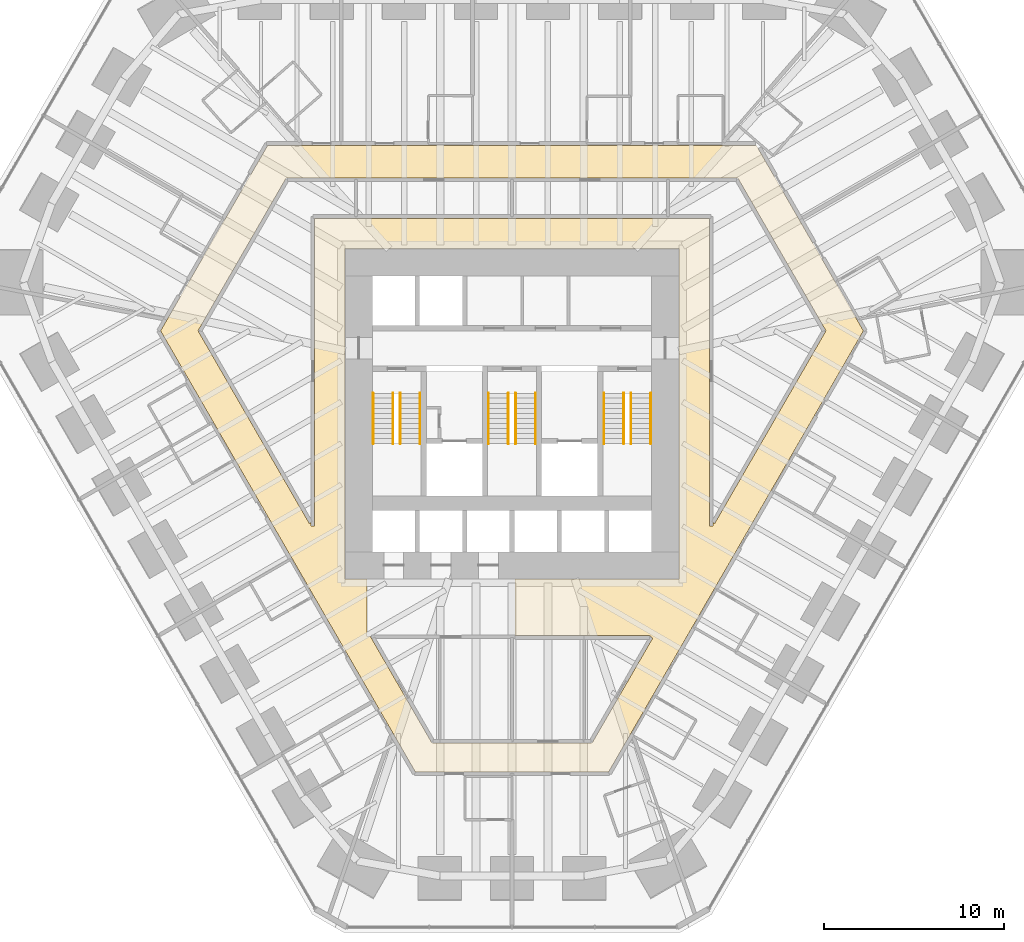
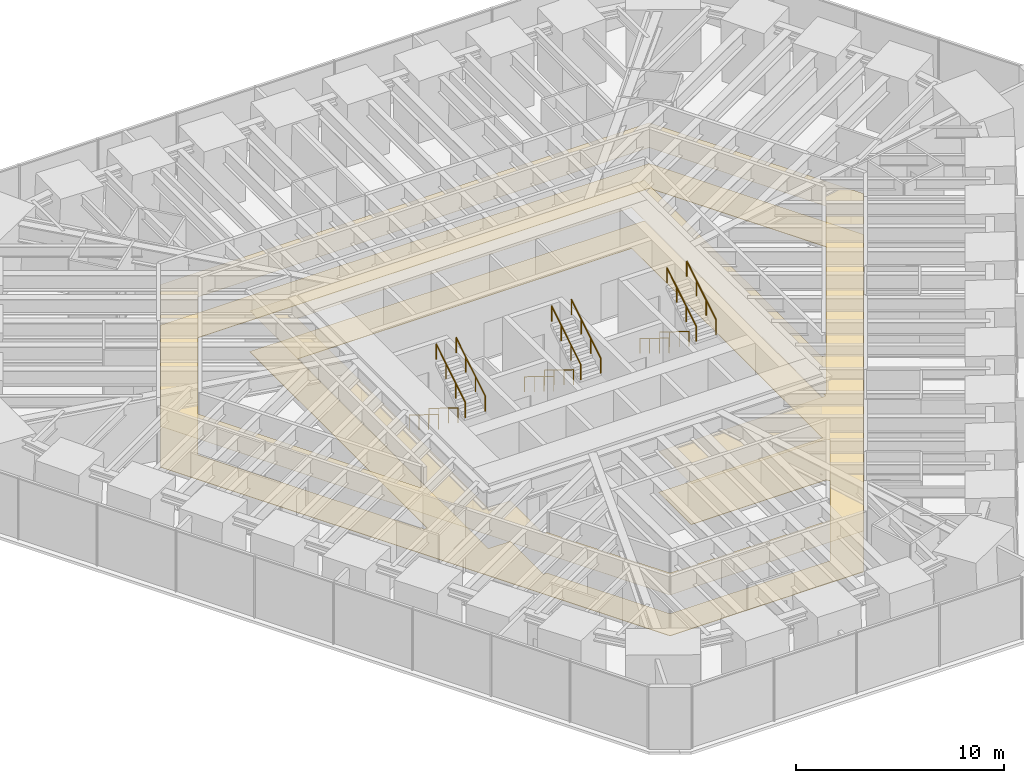
# One storey, part 17 of 17: 12 railings, 2 coverings.
"""IFC4 building model written with IfcOpenShell, lengths in metres."""

from ifc_helpers import new_model, si_unit, direction, frame, origin, origin_2d, place, context, subcontext, project, spatial, polyline, circle, outline, extrude, material, layer, layer_set, type_object, element, save


model = new_model("IFC4")

# Units and contexts
model_context = context("Model", 3, precision=1e-05, world=origin(), true_north=direction((0.0, 1.0)))
body_context = subcontext(model_context, "Body", "Model", "MODEL_VIEW")
ifc_project = project(units=[si_unit("LENGTHUNIT", "METRE"), si_unit("AREAUNIT", "SQUARE_METRE"), si_unit("VOLUMEUNIT", "CUBIC_METRE"), si_unit("PLANEANGLEUNIT", "RADIAN"), si_unit("MASSUNIT", "GRAM", prefix="KILO")], contexts=[model_context])

# Site, building, storey
site_placement = place(None, origin())
site = spatial("IfcSite", under=ifc_project, at=site_placement, CompositionType="ELEMENT")
building_placement = place(site_placement, origin())
building = spatial("IfcBuilding", under=site, at=building_placement, Name="Sandreach Pilgrim Tower", CompositionType="ELEMENT")
storey_placement = place(building_placement, frame((0.0, 0.0, 87.60009765625)))
storey = spatial("IfcBuildingStorey", under=building, at=storey_placement, Name="L21", CompositionType="ELEMENT", Elevation=87.60009765625)

# Covering
ifc_material_1 = material(Name="Gypsum board suspended ceiling on a steel grid", Category="steel")
ifc_layer_1 = layer(ifc_material_1, 0.012939453125)
ifc_layer_set_1 = layer_set([ifc_layer_1], Name="Gypsum board suspended ceiling")
covering_type_1 = type_object("IfcCoveringType", Name="Gypsum board suspended ceiling", PredefinedType="CEILING", material=ifc_layer_set_1)
covering_1_placement = place(storey_placement, frame((0.0, 0.0, 2.39990234375)))
element("IfcCovering", 1, at=covering_1_placement, inside=storey, type_object=covering_type_1, Name="Ceiling 21C Corridor 21", PredefinedType="CEILING", context=body_context, shape_type="SweptSolid", body=[
    extrude(outline(polyline([(-19.49462890625, 3.06005859375), (-13.55224609375, 13.35009765625), (13.55224609375, 13.35009765625), (19.494384765625, 3.06005859375), (5.3623046875, -21.409912109375), (-5.3623046875, -21.409912109375), (-19.49462890625, 3.06005859375)]), holes=[polyline([(-17.41552734375, 3.06005859375), (-11.24658203125, -7.61962890625), (-11.14990234375, -7.563720703125), (-11.14990234375, -7.760009765625), (-10.949951171875, -7.760009765625), (-10.949951171875, 9.300048828125), (10.949951171875, 9.300048828125), (10.949951171875, -7.760009765625), (11.14990234375, -7.760009765625), (11.14990234375, -7.563720703125), (11.24658203125, -7.61962890625), (17.41552734375, 3.06005859375), (12.517822265625, 11.550048828125), (-12.517822265625, 11.550048828125), (-17.41552734375, 3.06005859375)]), polyline([(-8.050048828125, -10.719970703125), (-8.050048828125, -13.89990234375), (-7.8544921875, -13.89990234375), (-4.437744140625, -19.81005859375), (4.437744140625, -19.81005859375), (7.796630859375, -14.0), (7.635009765625, -13.85009765625), (0.179931640625, -13.85009765625), (0.175048828125, -10.719970703125), (9.27001953125, -10.719970703125), (9.27001953125, 7.6201171875), (-9.27001953125, 7.6201171875), (-9.27001953125, -10.719970703125), (-8.050048828125, -10.719970703125)])]), origin(), (0.0, 0.0, 1.0), 0.012939453125),
])

# Railings
ifc_material_2 = material(Name="Stainless steel tube", Category="steel")
railing_type = type_object("IfcRailingType", Name="Stair handrail", PredefinedType="HANDRAIL", material=ifc_material_2)
for number, where, name in (
    (2, (-6.60009765625, -0.39990234375, 0.172607421875), "Handrail ST1 L21 flight 1"),
    (3, (-7.699951171875, -0.39990234375, 0.172607421875), "Handrail ST1 L21 flight 1"),
):
    element("IfcRailing", number, at=place(storey_placement, frame(where)), inside=storey, type_object=railing_type, Name=name, PredefinedType="HANDRAIL", context=body_context, shape_type="SweptSolid", body=[
        extrude(circle(Radius=0.02392578125, at=origin_2d()), frame((0.0, 0.0, 0.8759765625), z_axis=(0.0, -0.851089632645, 0.525020415988), x_axis=(1.0, 0.0, 0.0)), (0.0, 0.0, 1.0), 3.2900390625),
        extrude(circle(Radius=0.02099609375, at=origin_2d()), origin(), (0.0, 0.0, 1.0), 0.851806640625),
        extrude(circle(Radius=0.02099609375, at=origin_2d()), frame((0.0, -0.933349609375, 0.57568359375)), (0.0, 0.0, 1.0), 0.851806640625),
        extrude(circle(Radius=0.02099609375, at=origin_2d()), frame((0.0, -1.86669921875, 1.151611328125)), (0.0, 0.0, 1.0), 0.851806640625),
        extrude(circle(Radius=0.02099609375, at=origin_2d()), frame((0.0, -2.800048828125, 1.727294921875)), (0.0, 0.0, 1.0), 0.851806640625),
    ])
for number, where, name in (
    (4, (-6.199951171875, -3.199951171875, 2.072509765625), "Handrail ST1 L21 flight 2"),
    (5, (-5.10009765625, -3.199951171875, 2.072509765625), "Handrail ST1 L21 flight 2"),
):
    element("IfcRailing", number, at=place(storey_placement, frame(where)), inside=storey, type_object=railing_type, Name=name, PredefinedType="HANDRAIL", context=body_context, shape_type="SweptSolid", body=[
        extrude(circle(Radius=0.02392578125, at=origin_2d()), frame((0.0, 0.0, 0.8759765625), z_axis=(0.0, 0.851089632645, 0.525020415988), x_axis=(-1.0, 0.0, 0.0)), (0.0, 0.0, 1.0), 3.2900390625),
        extrude(circle(Radius=0.02099609375, at=origin_2d()), origin(), (0.0, 0.0, 1.0), 0.851806640625),
        extrude(circle(Radius=0.02099609375, at=origin_2d()), frame((0.0, 0.933349609375, 0.57568359375)), (0.0, 0.0, 1.0), 0.851806640625),
        extrude(circle(Radius=0.02099609375, at=origin_2d()), frame((0.0, 1.86669921875, 1.151611328125)), (0.0, 0.0, 1.0), 0.851806640625),
        extrude(circle(Radius=0.02099609375, at=origin_2d()), frame((0.0, 2.800048828125, 1.727294921875)), (0.0, 0.0, 1.0), 0.851806640625),
    ])
for number, where, name in (
    (6, (-0.199951171875, -0.39990234375, 0.172607421875), "Handrail ST3 L21 flight 1"),
    (7, (-1.300048828125, -0.39990234375, 0.172607421875), "Handrail ST3 L21 flight 1"),
):
    element("IfcRailing", number, at=place(storey_placement, frame(where)), inside=storey, type_object=railing_type, Name=name, PredefinedType="HANDRAIL", context=body_context, shape_type="SweptSolid", body=[
        extrude(circle(Radius=0.02392578125, at=origin_2d()), frame((0.0, 0.0, 0.8759765625), z_axis=(0.0, -0.851089632645, 0.525020415988), x_axis=(1.0, 0.0, 0.0)), (0.0, 0.0, 1.0), 3.2900390625),
        extrude(circle(Radius=0.02099609375, at=origin_2d()), origin(), (0.0, 0.0, 1.0), 0.851806640625),
        extrude(circle(Radius=0.02099609375, at=origin_2d()), frame((0.0, -0.933349609375, 0.57568359375)), (0.0, 0.0, 1.0), 0.851806640625),
        extrude(circle(Radius=0.02099609375, at=origin_2d()), frame((0.0, -1.86669921875, 1.151611328125)), (0.0, 0.0, 1.0), 0.851806640625),
        extrude(circle(Radius=0.02099609375, at=origin_2d()), frame((0.0, -2.800048828125, 1.727294921875)), (0.0, 0.0, 1.0), 0.851806640625),
    ])
for number, where, name in (
    (8, (0.199951171875, -3.199951171875, 2.072509765625), "Handrail ST3 L21 flight 2"),
    (9, (1.300048828125, -3.199951171875, 2.072509765625), "Handrail ST3 L21 flight 2"),
):
    element("IfcRailing", number, at=place(storey_placement, frame(where)), inside=storey, type_object=railing_type, Name=name, PredefinedType="HANDRAIL", context=body_context, shape_type="SweptSolid", body=[
        extrude(circle(Radius=0.02392578125, at=origin_2d()), frame((0.0, 0.0, 0.8759765625), z_axis=(0.0, 0.851089632645, 0.525020415988), x_axis=(-1.0, 0.0, 0.0)), (0.0, 0.0, 1.0), 3.2900390625),
        extrude(circle(Radius=0.02099609375, at=origin_2d()), origin(), (0.0, 0.0, 1.0), 0.851806640625),
        extrude(circle(Radius=0.02099609375, at=origin_2d()), frame((0.0, 0.933349609375, 0.57568359375)), (0.0, 0.0, 1.0), 0.851806640625),
        extrude(circle(Radius=0.02099609375, at=origin_2d()), frame((0.0, 1.86669921875, 1.151611328125)), (0.0, 0.0, 1.0), 0.851806640625),
        extrude(circle(Radius=0.02099609375, at=origin_2d()), frame((0.0, 2.800048828125, 1.727294921875)), (0.0, 0.0, 1.0), 0.851806640625),
    ])
for number, where, name in (
    (10, (6.199951171875, -0.39990234375, 0.172607421875), "Handrail ST2 L21 flight 1"),
    (11, (5.10009765625, -0.39990234375, 0.172607421875), "Handrail ST2 L21 flight 1"),
):
    element("IfcRailing", number, at=place(storey_placement, frame(where)), inside=storey, type_object=railing_type, Name=name, PredefinedType="HANDRAIL", context=body_context, shape_type="SweptSolid", body=[
        extrude(circle(Radius=0.02392578125, at=origin_2d()), frame((0.0, 0.0, 0.8759765625), z_axis=(0.0, -0.851089632645, 0.525020415988), x_axis=(1.0, 0.0, 0.0)), (0.0, 0.0, 1.0), 3.2900390625),
        extrude(circle(Radius=0.02099609375, at=origin_2d()), origin(), (0.0, 0.0, 1.0), 0.851806640625),
        extrude(circle(Radius=0.02099609375, at=origin_2d()), frame((0.0, -0.933349609375, 0.57568359375)), (0.0, 0.0, 1.0), 0.851806640625),
        extrude(circle(Radius=0.02099609375, at=origin_2d()), frame((0.0, -1.86669921875, 1.151611328125)), (0.0, 0.0, 1.0), 0.851806640625),
        extrude(circle(Radius=0.02099609375, at=origin_2d()), frame((0.0, -2.800048828125, 1.727294921875)), (0.0, 0.0, 1.0), 0.851806640625),
    ])
for number, where, name in (
    (12, (6.60009765625, -3.199951171875, 2.072509765625), "Handrail ST2 L21 flight 2"),
    (13, (7.699951171875, -3.199951171875, 2.072509765625), "Handrail ST2 L21 flight 2"),
):
    element("IfcRailing", number, at=place(storey_placement, frame(where)), inside=storey, type_object=railing_type, Name=name, PredefinedType="HANDRAIL", context=body_context, shape_type="SweptSolid", body=[
        extrude(circle(Radius=0.02392578125, at=origin_2d()), frame((0.0, 0.0, 0.8759765625), z_axis=(0.0, 0.851089632645, 0.525020415988), x_axis=(-1.0, 0.0, 0.0)), (0.0, 0.0, 1.0), 3.2900390625),
        extrude(circle(Radius=0.02099609375, at=origin_2d()), origin(), (0.0, 0.0, 1.0), 0.851806640625),
        extrude(circle(Radius=0.02099609375, at=origin_2d()), frame((0.0, 0.933349609375, 0.57568359375)), (0.0, 0.0, 1.0), 0.851806640625),
        extrude(circle(Radius=0.02099609375, at=origin_2d()), frame((0.0, 1.86669921875, 1.151611328125)), (0.0, 0.0, 1.0), 0.851806640625),
        extrude(circle(Radius=0.02099609375, at=origin_2d()), frame((0.0, 2.800048828125, 1.727294921875)), (0.0, 0.0, 1.0), 0.851806640625),
    ])

# Covering
ifc_material_3 = material(Name="Cement terrazzo, ground and polished", Category="terrazzo")
ifc_layer_2 = layer(ifc_material_3, 0.02490234375)
ifc_layer_set_2 = layer_set([ifc_layer_2], Name="Terrazzo")
covering_type_2 = type_object("IfcCoveringType", Name="Terrazzo", PredefinedType="FLOORING", material=ifc_layer_set_2)
covering_2_placement = place(storey_placement, origin())
element("IfcCovering", 14, at=covering_2_placement, inside=storey, type_object=covering_type_2, Name="Floor finish 21C Corridor 21", PredefinedType="FLOORING", context=body_context, shape_type="SweptSolid", body=[
    extrude(outline(polyline([(-19.49462890625, 3.06005859375), (-13.55224609375, 13.35009765625), (13.55224609375, 13.35009765625), (19.494384765625, 3.06005859375), (5.3623046875, -21.409912109375), (-5.3623046875, -21.409912109375), (-19.49462890625, 3.06005859375)]), holes=[polyline([(-17.41552734375, 3.06005859375), (-11.24658203125, -7.61962890625), (-11.14990234375, -7.563720703125), (-11.14990234375, -7.760009765625), (-10.949951171875, -7.760009765625), (-10.949951171875, 9.300048828125), (10.949951171875, 9.300048828125), (10.949951171875, -7.760009765625), (11.14990234375, -7.760009765625), (11.14990234375, -7.563720703125), (11.24658203125, -7.61962890625), (17.41552734375, 3.06005859375), (12.517822265625, 11.550048828125), (-12.517822265625, 11.550048828125), (-17.41552734375, 3.06005859375)]), polyline([(-8.050048828125, -10.719970703125), (-8.050048828125, -13.89990234375), (-7.8544921875, -13.89990234375), (-4.437744140625, -19.81005859375), (4.437744140625, -19.81005859375), (7.796630859375, -14.0), (7.635009765625, -13.85009765625), (0.179931640625, -13.85009765625), (0.175048828125, -10.719970703125), (9.27001953125, -10.719970703125), (9.27001953125, 7.6201171875), (-9.27001953125, 7.6201171875), (-9.27001953125, -10.719970703125), (-8.050048828125, -10.719970703125)])]), origin(), (0.0, 0.0, 1.0), 0.02490234375),
])

save(model, "model.ifc")
